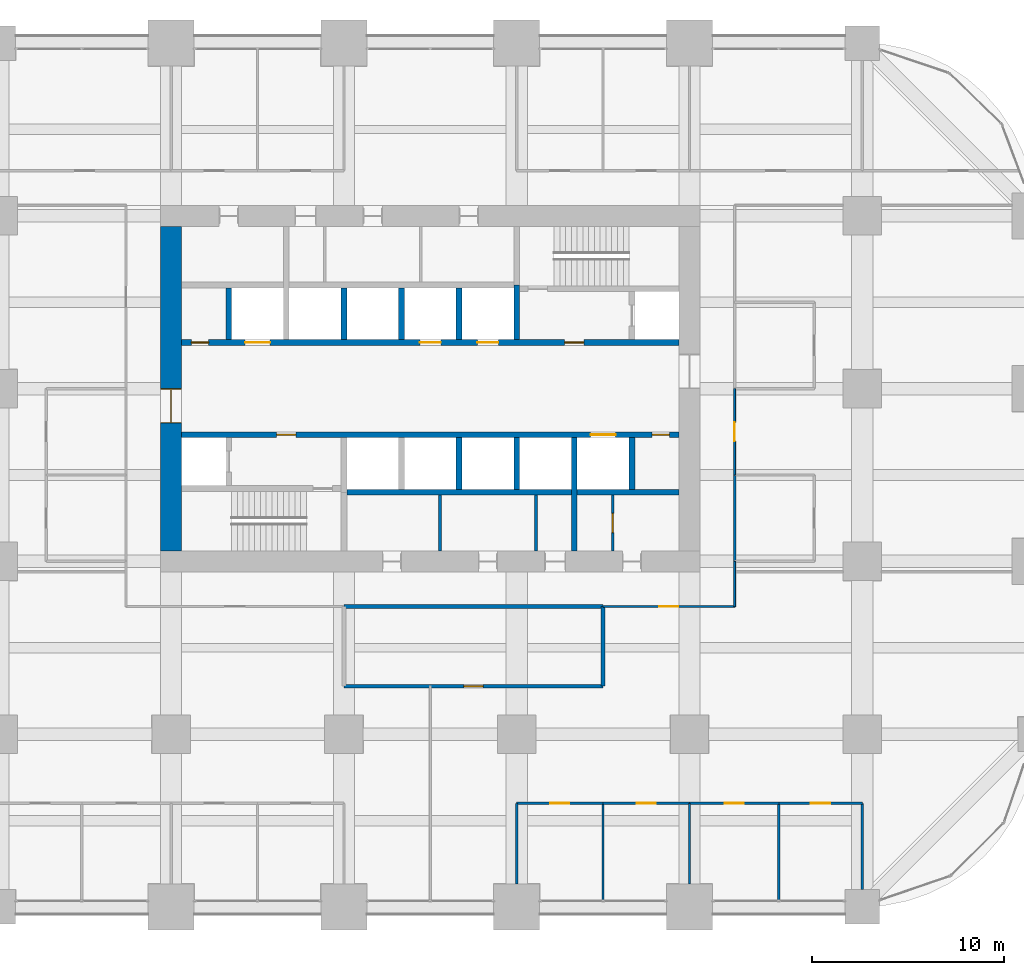
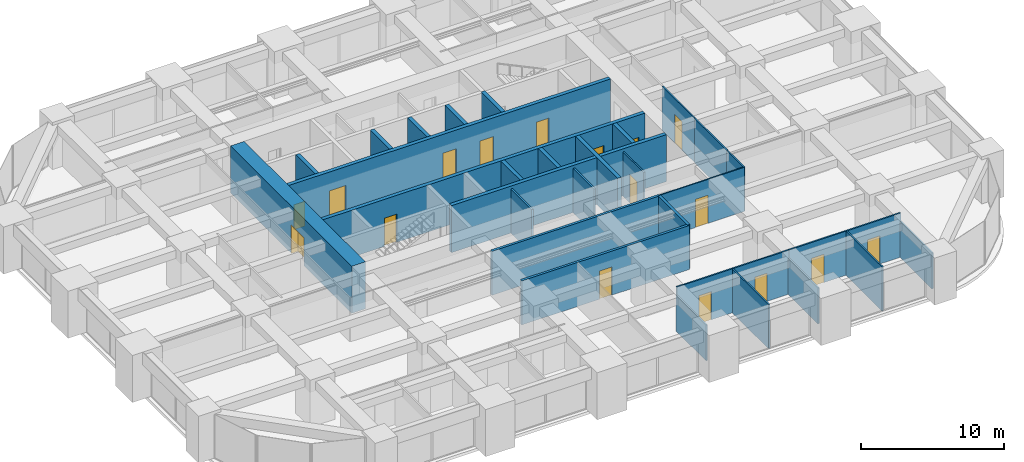
# One storey, part 37 of 41: 32 walls, 17 doors, 17 openings.
"""IFC4 building model written with IfcOpenShell, lengths in metres."""

import ifcopenshell
import ifcopenshell.guid

model = None  # the IFC model being written
_history = None  # IfcOwnerHistory: only IFC2X3 demands one
_inside = {}  # id of a spatial element -> (the spatial element, [elements in it])
_under = {}  # id of a project, library or spatial element -> (it, [spatial elements below it])
_declared = {}  # id of a project -> (the project, [libraries it declares])
_typed = {}  # id of a type object -> (the type object, [elements of that type])
_made_of = {}  # id of a material, layer set ... -> (it, [elements and type objects made of it])


def new_model(schema):
    """Start an empty IFC model of exactly this schema.

    Asked for "IFC4X3", IfcOpenShell would pick the latest addendum, in which some entities
    have other attributes; the version numbers below select the first issue.
    IFC2X3 requires an IfcOwnerHistory on every rooted entity: one is made here for all.
    """
    global model, _history
    if schema == "IFC4X3":
        model = ifcopenshell.file(schema_version=(4, 3, 0, 0))
    else:
        model = ifcopenshell.file(schema=schema)
    _inside.clear()
    _under.clear()
    _declared.clear()
    _typed.clear()
    _made_of.clear()
    _history = None
    if model.schema == "IFC2X3":
        org = make("IfcOrganization", Name="unknown")
        user = make(
            "IfcPersonAndOrganization",
            ThePerson=make("IfcPerson", FamilyName="unknown"),
            TheOrganization=org,
        )
        app = make(
            "IfcApplication",
            ApplicationDeveloper=org,
            Version="unknown",
            ApplicationFullName="unknown",
            ApplicationIdentifier="unknown",
        )
        _history = make(
            "IfcOwnerHistory",
            OwningUser=user,
            OwningApplication=app,
            ChangeAction="ADDED",
            CreationDate=0,
        )
    return model


def make(cls, **values):
    """One entity of the class cls with the attributes given. An attribute that is None is left unset."""
    return model.create_entity(
        cls, **{name: value for name, value in values.items() if value is not None}
    )


def rooted(cls, **values):
    """An entity with a GlobalId (a new one), such as an element, a storey or a relation."""
    return make(cls, GlobalId=ifcopenshell.guid.new(), OwnerHistory=_history, **values)


def si_unit(unit_type, name, prefix=None):
    """IfcSIUnit, for example si_unit("LENGTHUNIT", "METRE", prefix="MILLI")."""
    return make("IfcSIUnit", UnitType=unit_type, Prefix=prefix, Name=name)


def assignment(units):
    """IfcUnitAssignment: the units of a project."""
    return None if units is None else make("IfcUnitAssignment", Units=units)


def point(xyz):
    """IfcCartesianPoint."""
    return None if xyz is None else make("IfcCartesianPoint", Coordinates=xyz)


def direction(xyz):
    """IfcDirection."""
    return None if xyz is None else make("IfcDirection", DirectionRatios=xyz)


def frame(location, z_axis=None, x_axis=None):
    """IfcAxis2Placement3D, a coordinate frame: its origin and axes. An axis left out is left unset."""
    return make(
        "IfcAxis2Placement3D",
        Location=point(location),
        Axis=direction(z_axis),
        RefDirection=direction(x_axis),
    )


def frame_2d(location, x_axis=None):
    """IfcAxis2Placement2D, a coordinate frame in the plane: its origin and x axis."""
    return make(
        "IfcAxis2Placement2D", Location=point(location), RefDirection=direction(x_axis)
    )


def origin():
    """The frame at (0, 0, 0) with its axes left unset."""
    return frame((0.0, 0.0, 0.0))


def place(relative_to, where):
    """IfcLocalPlacement: puts the frame where relative to a parent placement (None: the world)."""
    return make(
        "IfcLocalPlacement", PlacementRelTo=relative_to, RelativePlacement=where
    )


def context(
    kind, dimensions, precision=None, world=None, true_north=None, identifier=None
):
    """IfcGeometricRepresentationContext, for example the 3D "Model" context."""
    return make(
        "IfcGeometricRepresentationContext",
        ContextIdentifier=identifier,
        ContextType=kind,
        CoordinateSpaceDimension=dimensions,
        Precision=precision,
        WorldCoordinateSystem=world,
        TrueNorth=true_north,
    )


def subcontext(parent, identifier, kind, view, scale=None):
    """IfcGeometricRepresentationSubContext, for example "Body" below "Model"."""
    return make(
        "IfcGeometricRepresentationSubContext",
        ContextIdentifier=identifier,
        ContextType=kind,
        ParentContext=parent,
        TargetScale=scale,
        TargetView=view,
    )


def project(units=None, contexts=None):
    """IfcProject with its units and contexts."""
    return rooted(
        "IfcProject",
        Name="project",
        RepresentationContexts=contexts,
        UnitsInContext=assignment(units),
    )


def spatial(cls, under=None, at=None, **own):
    """A site, building, storey or space (cls), placed at a placement, below another one or the project."""
    s = rooted(cls, ObjectPlacement=at, **own)
    if under is not None:
        _under.setdefault(under.id(), (under, []))[1].append(s)
    return s


def profile(cls, at=None, kind="AREA", **sizes):
    """A parametric profile (cls). Its sizes go by their IFC names, for example OverallWidth=200.0."""
    return make(cls, ProfileType=kind, Position=at, **sizes)


def rectangle(**sizes):
    """IfcRectangleProfileDef."""
    return profile("IfcRectangleProfileDef", **sizes)


def extrude(swept, where, along, depth):
    """IfcExtrudedAreaSolid: the profile swept, set in the frame where, extruded along a direction by depth."""
    return make(
        "IfcExtrudedAreaSolid",
        SweptArea=swept,
        Position=where,
        ExtrudedDirection=direction(along),
        Depth=depth,
    )


def shape(context_of_items, identifier, shape_type, items):
    """IfcShapeRepresentation: the items that make up one representation, for example the "Body"."""
    return make(
        "IfcShapeRepresentation",
        ContextOfItems=context_of_items,
        RepresentationIdentifier=identifier,
        RepresentationType=shape_type,
        Items=items,
    )


def material(Name=None, Category=None):
    """IfcMaterial."""
    return make("IfcMaterial", Name=Name, Category=Category)


def layer(
    of_material, thickness, ventilated=None, Name=None, Category=None, Priority=None
):
    """IfcMaterialLayer: one layer of a wall or slab, of a material (None: an air gap)."""
    return make(
        "IfcMaterialLayer",
        Material=of_material,
        LayerThickness=thickness,
        IsVentilated=ventilated,
        Name=Name,
        Category=Category,
        Priority=Priority,
    )


def layer_set(layers, Name=None):
    """IfcMaterialLayerSet."""
    return make("IfcMaterialLayerSet", MaterialLayers=layers, LayerSetName=Name)


def made_of(thing, what):
    """Note that an element or type object is made of a material, layer set ...; save() writes the relation."""
    if what is not None:
        _made_of.setdefault(what.id(), (what, []))[1].append(thing)
    return thing


def type_object(cls, material=None, **own):
    """A type object (cls), such as IfcWallType, which elements share."""
    return made_of(rooted(cls, **own), material)


def element(
    cls,
    number,
    at=None,
    inside=None,
    cuts=None,
    type_object=None,
    material=None,
    context=None,
    identifier="Body",
    shape_type=None,
    held_by="IfcProductDefinitionShape",
    body=None,
    shapes=None,
    **own,
):
    """One element of the class cls, such as IfcWall. Its Tag is "e" and its number.

    at: its placement. inside: the storey or other place that contains it. cuts: it is an
    opening in that element (IfcRelVoidsElement). A single representation is given by context,
    identifier, shape_type and body (its items); several are given by shapes. held_by: the class
    of the entity that holds the representations. save() writes the other relations.
    """
    e = rooted(cls, Tag="e%d" % number, ObjectPlacement=at, **own)
    if body is not None:
        shapes = [shape(context, identifier, shape_type, body)]
    if shapes is not None:
        e.Representation = make(held_by, Representations=shapes)
    if inside is not None:
        _inside.setdefault(inside.id(), (inside, []))[1].append(e)
    if cuts is not None:
        rooted(
            "IfcRelVoidsElement", RelatingBuildingElement=cuts, RelatedOpeningElement=e
        )
    if type_object is not None:
        _typed.setdefault(type_object.id(), (type_object, []))[1].append(e)
    return made_of(e, material)


def fill(opening, filler):
    """IfcRelFillsElement: the door or window that sits in an opening."""
    return rooted(
        "IfcRelFillsElement",
        RelatingOpeningElement=opening,
        RelatedBuildingElement=filler,
    )


def aggregate(whole, parts):
    """IfcRelAggregates: a whole, such as a stair, and the parts it consists of."""
    return rooted("IfcRelAggregates", RelatingObject=whole, RelatedObjects=parts)


def save(model, path):
    """Write the relations noted so far, then the file.

    IfcRelAggregates (storeys below a building ...), IfcRelContainedInSpatialStructure (elements
    in a storey), IfcRelDefinesByType, IfcRelAssociatesMaterial and IfcRelDeclares: one each for
    every whole, place, type object, material and project.
    """
    for whole, parts in _under.values():
        aggregate(whole, parts)
    for where, things in _inside.values():
        rooted(
            "IfcRelContainedInSpatialStructure",
            RelatedElements=things,
            RelatingStructure=where,
        )
    for kind, things in _typed.values():
        rooted("IfcRelDefinesByType", RelatedObjects=things, RelatingType=kind)
    for what, things in _made_of.values():
        rooted("IfcRelAssociatesMaterial", RelatedObjects=things, RelatingMaterial=what)
    for by, libraries in _declared.values():
        rooted("IfcRelDeclares", RelatingContext=by, RelatedDefinitions=libraries)
    model.write(path)


model = new_model("IFC4")

# Units and contexts
model_context = context("Model", 3, precision=1e-05, world=origin(), true_north=direction((0.0, 1.0)))
body_context = subcontext(model_context, "Body", "Model", "MODEL_VIEW")
ifc_project = project(units=[si_unit("LENGTHUNIT", "METRE"), si_unit("AREAUNIT", "SQUARE_METRE"), si_unit("VOLUMEUNIT", "CUBIC_METRE"), si_unit("PLANEANGLEUNIT", "RADIAN"), si_unit("MASSUNIT", "GRAM", prefix="KILO")], contexts=[model_context])

# Site, building, storey
site_placement = place(None, origin())
site = spatial("IfcSite", under=ifc_project, at=site_placement, CompositionType="ELEMENT")
building_placement = place(site_placement, origin())
building = spatial("IfcBuilding", under=site, at=building_placement, Name="Zorevar Civic Tower", CompositionType="ELEMENT")
storey_placement = place(building_placement, frame((0.0, 0.0, 105.0)))
storey = spatial("IfcBuildingStorey", under=building, at=storey_placement, Name="L25", CompositionType="ELEMENT", Elevation=105.0)

# Wall, opening, door
ifc_material_1 = material(Name="Concrete blockwork", Category="masonry")
ifc_layer_1 = layer(ifc_material_1, 0.199951171875)
ifc_layer_set_1 = layer_set([ifc_layer_1], Name="Blockwork wall 200")
wall_type_1 = type_object("IfcWallType", Name="Blockwork wall 200", PredefinedType="SOLIDWALL", material=ifc_layer_set_1)
wall_1_placement = place(storey_placement, frame((27.0, 11.5, 0.0), z_axis=(0.0, 0.0, 1.0), x_axis=(1.0, 0.0, 0.0)))
wall_1 = element("IfcWall", 1, at=wall_1_placement, inside=storey, type_object=wall_type_1, Name="Blockwork wall 200 L25", PredefinedType="SOLIDWALL", context=body_context, shape_type="SweptSolid", body=[
    extrude(rectangle(XDim=13.5, YDim=0.199951171875, at=frame_2d((6.75, 0.0))), origin(), (0.0, 0.0, 1.0), 3.75),
])
opening_1_placement = place(wall_1_placement, frame((6.25, 0.0, 0.0)))
opening_1 = element("IfcOpeningElement", 2, at=opening_1_placement, cuts=wall_1, Name="Opening L25.25", PredefinedType="OPENING", context=body_context, shape_type="SweptSolid", body=[
    extrude(rectangle(XDim=1.0, YDim=2.39990234375, at=frame_2d((0.5, 1.199951171875))), frame((0.0, 0.10986328125, 0.0), z_axis=(0.0, -1.0, 0.0), x_axis=(1.0, 0.0, 0.0)), (0.0, 0.0, 1.0), 0.219970703125),
])
ifc_material_2 = material(Name="Steel door set", Category="steel")
door_type_1 = type_object("IfcDoorType", Name="Security door SD1 1000x2400", OperationType="SINGLE_SWING_LEFT", PredefinedType="DOOR", material=ifc_material_2)
door_1_placement = place(opening_1_placement, origin())
door_1 = element("IfcDoor", 3, at=door_1_placement, inside=storey, type_object=door_type_1, Name="Door L25 D1", OperationType="SINGLE_SWING_LEFT", OverallHeight=2.39990234375, OverallWidth=1.0, PredefinedType="DOOR", context=body_context, shape_type="SweptSolid", body=[
    extrude(rectangle(XDim=1.0, YDim=2.39990234375, at=frame_2d((0.5, 1.199951171875))), frame((0.0, 0.03515625, 0.0), z_axis=(0.0, -1.0, 0.0), x_axis=(1.0, 0.0, 0.0)), (0.0, 0.0, 1.0), 0.070068359375),
])
fill(opening_1, door_1)

# Walls
wall_2_placement = place(storey_placement, frame((27.0, 15.64990234375, 0.0), z_axis=(0.0, 0.0, 1.0), x_axis=(1.0, 0.0, 0.0)))
element("IfcWall", 4, at=wall_2_placement, inside=storey, type_object=wall_type_1, Name="Blockwork wall 200 L25", PredefinedType="SOLIDWALL", context=body_context, shape_type="SweptSolid", body=[
    extrude(rectangle(XDim=13.5, YDim=0.199951171875, at=frame_2d((6.75, 0.0))), origin(), (0.0, 0.0, 1.0), 3.75),
])
wall_3_placement = place(storey_placement, frame((40.5, 11.5, 0.0), z_axis=(0.0, 0.0, 1.0), x_axis=(0.0, 1.0, 0.0)))
element("IfcWall", 5, at=wall_3_placement, inside=storey, type_object=wall_type_1, Name="Blockwork wall 200 L25", PredefinedType="SOLIDWALL", context=body_context, shape_type="SweptSolid", body=[
    extrude(rectangle(XDim=4.14990234375, YDim=0.199951171875, at=frame_2d((2.074951171875, 0.0))), origin(), (0.0, 0.0, 1.0), 3.75),
])

# Wall, opening, door
ifc_material_3 = material(Name="Concrete C50/60", Category="concrete")
ifc_layer_2 = layer(ifc_material_3, 1.10009765625)
ifc_layer_set_2 = layer_set([ifc_layer_2], Name="Core wall 1100")
wall_type_2 = type_object("IfcWallType", Name="Core wall 1100", PredefinedType="SHEAR", material=ifc_layer_set_2)
wall_4_placement = place(storey_placement, frame((18.0, 35.449951171875, 0.0), z_axis=(0.0, 0.0, 1.0), x_axis=(0.0, -1.0, 0.0)))
wall_4 = element("IfcWall", 6, at=wall_4_placement, inside=storey, type_object=wall_type_2, Name="Core wall W L25", PredefinedType="SHEAR", context=body_context, shape_type="SweptSolid", body=[
    extrude(rectangle(XDim=16.89990234375, YDim=1.10009765625, at=frame_2d((8.449951171875, 0.0))), origin(), (0.0, 0.0, 1.0), 4.0),
])
opening_2_placement = place(wall_4_placement, frame((8.449951171875, 0.0, 0.0)))
opening_2 = element("IfcOpeningElement", 7, at=opening_2_placement, cuts=wall_4, Name="Opening L25.01", PredefinedType="OPENING", context=body_context, shape_type="SweptSolid", body=[
    extrude(rectangle(XDim=1.800048828125, YDim=2.39990234375, at=frame_2d((0.89990234375, 1.199951171875))), frame((0.0, 0.56005859375, 0.0), z_axis=(0.0, -1.0, 0.0), x_axis=(1.0, 0.0, 0.0)), (0.0, 0.0, 1.0), 1.1201171875),
])
ifc_material_4 = material(Name="Steel door set", Category="steel")
door_type_2 = type_object("IfcDoorType", Name="Fire door FD2 1800x2400", OperationType="DOUBLE_DOOR_DOUBLE_SWING", PredefinedType="DOOR", material=ifc_material_4)
door_2_placement = place(opening_2_placement, origin())
door_2 = element("IfcDoor", 8, at=door_2_placement, inside=storey, type_object=door_type_2, Name="Door L25 00", OperationType="DOUBLE_DOOR_DOUBLE_SWING", OverallHeight=2.39990234375, OverallWidth=1.800048828125, PredefinedType="DOOR", context=body_context, shape_type="SweptSolid", body=[
    extrude(rectangle(XDim=1.800048828125, YDim=2.39990234375, at=frame_2d((0.89990234375, 1.199951171875))), frame((0.0, 0.030029296875, 0.0), z_axis=(0.0, -1.0, 0.0), x_axis=(1.0, 0.0, 0.0)), (0.0, 0.0, 1.0), 0.06005859375),
    extrude(rectangle(XDim=0.04, YDim=2.39990234375, at=frame_2d((0.02001953125, 1.199951171875))), frame((0.0, 0.5498046875, 0.0), z_axis=(0.0, -1.0, 0.0), x_axis=(1.0, 0.0, 0.0)), (0.0, 0.0, 1.0), 1.099609375),
    extrude(rectangle(XDim=0.04, YDim=2.39990234375, at=frame_2d((1.780029296875, 1.199951171875))), frame((0.0, 0.5498046875, 0.0), z_axis=(0.0, -1.0, 0.0), x_axis=(1.0, 0.0, 0.0)), (0.0, 0.0, 1.0), 1.099609375),
    extrude(rectangle(XDim=1.800048828125, YDim=0.04, at=frame_2d((0.89990234375, 2.3798828125))), frame((0.0, 0.5498046875, 0.0), z_axis=(0.0, -1.0, 0.0), x_axis=(1.0, 0.0, 0.0)), (0.0, 0.0, 1.0), 1.099609375),
])
fill(opening_2, door_2)

ifc_material_5 = material(Name="Laminated glass in black aluminium frame", Category="aluminium")
ifc_layer_3 = layer(ifc_material_5, 0.10009765625)
ifc_layer_set_3 = layer_set([ifc_layer_3], Name="Glazed partition 100")
wall_type_3 = type_object("IfcWallType", Name="Glazed partition 100", PredefinedType="PARTITIONING", material=ifc_layer_set_3)
wall_5_placement = place(storey_placement, frame((40.5, 15.64990234375, 0.0), z_axis=(0.0, 0.0, 1.0), x_axis=(1.0, 0.0, 0.0)))
wall_5 = element("IfcWall", 9, at=wall_5_placement, inside=storey, type_object=wall_type_3, Name="Glazed partition 100 L25", PredefinedType="PARTITIONING", context=body_context, shape_type="SweptSolid", body=[
    extrude(rectangle(XDim=6.85009765625, YDim=0.10009765625, at=frame_2d((3.425048828125, 0.0))), origin(), (0.0, 0.0, 1.0), 3.75),
])
opening_3_placement = place(wall_5_placement, frame((2.925048828125, 0.0, 0.0)))
opening_3 = element("IfcOpeningElement", 10, at=opening_3_placement, cuts=wall_5, Name="Opening L25.27", PredefinedType="OPENING", context=body_context, shape_type="SweptSolid", body=[
    extrude(rectangle(XDim=1.0, YDim=2.39990234375, at=frame_2d((0.5, 1.199951171875))), frame((0.0, 0.06005859375, 0.0), z_axis=(0.0, -1.0, 0.0), x_axis=(1.0, 0.0, 0.0)), (0.0, 0.0, 1.0), 0.1201171875),
])
ifc_material_6 = material(Name="Timber door set", Category="wood")
door_type_3 = type_object("IfcDoorType", Name="Glazed door GD1 1000x2400", OperationType="SINGLE_SWING_LEFT", PredefinedType="DOOR", material=ifc_material_6)
door_3_placement = place(opening_3_placement, origin())
door_3 = element("IfcDoor", 11, at=door_3_placement, inside=storey, type_object=door_type_3, Name="Door L25 D1", OperationType="SINGLE_SWING_LEFT", OverallHeight=2.39990234375, OverallWidth=1.0, PredefinedType="DOOR", context=body_context, shape_type="SweptSolid", body=[
    extrude(rectangle(XDim=1.0, YDim=2.39990234375, at=frame_2d((0.5, 1.199951171875))), frame((0.0, 0.02001953125, 0.0), z_axis=(0.0, -1.0, 0.0), x_axis=(1.0, 0.0, 0.0)), (0.0, 0.0, 1.0), 0.0400390625),
])
fill(opening_3, door_3)

# Wall
wall_6_placement = place(storey_placement, frame((47.35009765625, 15.64990234375, 0.0), z_axis=(0.0, 0.0, 1.0), x_axis=(0.0, 1.0, 0.0)))
element("IfcWall", 12, at=wall_6_placement, inside=storey, type_object=wall_type_3, Name="Glazed partition 100 L25", PredefinedType="PARTITIONING", context=body_context, shape_type="SweptSolid", body=[
    extrude(rectangle(XDim=2.35009765625, YDim=0.10009765625, at=frame_2d((1.175048828125, 0.0))), origin(), (0.0, 0.0, 1.0), 3.75),
])

# Wall, opening, door
wall_7_placement = place(storey_placement, frame((47.35009765625, 22.5, 0.0), z_axis=(0.0, 0.0, 1.0), x_axis=(0.0, 1.0, 0.0)))
wall_7 = element("IfcWall", 13, at=wall_7_placement, inside=storey, type_object=wall_type_3, Name="Glazed partition 100 L25", PredefinedType="PARTITIONING", context=body_context, shape_type="SweptSolid", body=[
    extrude(rectangle(XDim=4.5, YDim=0.10009765625, at=frame_2d((2.25, 0.0))), origin(), (0.0, 0.0, 1.0), 3.75),
])
opening_4_placement = place(wall_7_placement, frame((1.75, 0.0, 0.0)))
opening_4 = element("IfcOpeningElement", 14, at=opening_4_placement, cuts=wall_7, Name="Opening L25.38", PredefinedType="OPENING", context=body_context, shape_type="SweptSolid", body=[
    extrude(rectangle(XDim=1.0, YDim=2.39990234375, at=frame_2d((0.5, 1.199951171875))), frame((0.0, 0.06005859375, 0.0), z_axis=(0.0, -1.0, 0.0), x_axis=(1.0, 0.0, 0.0)), (0.0, 0.0, 1.0), 0.1201171875),
])
door_4_placement = place(opening_4_placement, origin())
door_4 = element("IfcDoor", 15, at=door_4_placement, inside=storey, type_object=door_type_3, Name="Door L25 D1", OperationType="SINGLE_SWING_RIGHT", OverallHeight=2.39990234375, OverallWidth=1.0, PredefinedType="DOOR", context=body_context, shape_type="SweptSolid", body=[
    extrude(rectangle(XDim=1.0, YDim=2.39990234375, at=frame_2d((0.5, 1.199951171875))), frame((0.0, 0.02001953125, 0.0), z_axis=(0.0, -1.0, 0.0), x_axis=(1.0, 0.0, 0.0)), (0.0, 0.0, 1.0), 0.0400390625),
])
fill(opening_4, door_4)

# Wall, openings, doors
ifc_material_7 = material(Name="Concrete C40/50", Category="concrete")
ifc_layer_4 = layer(ifc_material_7, 0.300048828125)
ifc_layer_set_4 = layer_set([ifc_layer_4], Name="Inner core wall 300")
wall_type_4 = type_object("IfcWallType", Name="Inner core wall 300", PredefinedType="SHEAR", material=ifc_layer_set_4)
wall_8_placement = place(storey_placement, frame((18.550048828125, 24.60009765625, 0.0), z_axis=(0.0, 0.0, 1.0), x_axis=(1.0, 0.0, 0.0)))
wall_8 = element("IfcWall", 16, at=wall_8_placement, inside=storey, type_object=wall_type_4, Name="Inner core wall S03 L25", PredefinedType="SHEAR", context=body_context, shape_type="SweptSolid", body=[
    extrude(rectangle(XDim=25.89990234375, YDim=0.300048828125, at=frame_2d((12.949951171875, 0.0))), origin(), (0.0, 0.0, 1.0), 4.0),
])
opening_5_placement = place(wall_8_placement, frame((4.949951171875, 0.0, 0.0)))
opening_5 = element("IfcOpeningElement", 17, at=opening_5_placement, cuts=wall_8, Name="Opening L25.13", PredefinedType="OPENING", context=body_context, shape_type="SweptSolid", body=[
    extrude(rectangle(XDim=1.0, YDim=2.39990234375, at=frame_2d((0.5, 1.199951171875))), frame((0.0, 0.159912109375, 0.0), z_axis=(0.0, -1.0, 0.0), x_axis=(1.0, 0.0, 0.0)), (0.0, 0.0, 1.0), 0.320068359375),
])
opening_6_placement = place(wall_8_placement, frame((24.5, 0.0, 0.0)))
opening_6 = element("IfcOpeningElement", 18, at=opening_6_placement, cuts=wall_8, Name="Opening L25.15", PredefinedType="OPENING", context=body_context, shape_type="SweptSolid", body=[
    extrude(rectangle(XDim=0.89990234375, YDim=2.10009765625, at=frame_2d((0.449951171875, 1.050048828125))), frame((0.0, 0.159912109375, 0.0), z_axis=(0.0, -1.0, 0.0), x_axis=(1.0, 0.0, 0.0)), (0.0, 0.0, 1.0), 0.320068359375),
])
opening_7_placement = place(wall_8_placement, frame((21.300048828125, 0.0, 0.0)))
opening_7 = element("IfcOpeningElement", 19, at=opening_7_placement, cuts=wall_8, Name="Opening L25.SL1", PredefinedType="OPENING", context=body_context, shape_type="SweptSolid", body=[
    extrude(rectangle(XDim=1.300048828125, YDim=2.39990234375, at=frame_2d((0.64990234375, 1.199951171875))), frame((0.0, 0.159912109375, 0.0), z_axis=(0.0, -1.0, 0.0), x_axis=(1.0, 0.0, 0.0)), (0.0, 0.0, 1.0), 0.320068359375),
])
ifc_material_8 = material(Name="Steel door set", Category="steel")
door_type_4 = type_object("IfcDoorType", Name="Fire door FD1 1000x2400", OperationType="SINGLE_SWING_LEFT", PredefinedType="DOOR", material=ifc_material_8)
door_5_placement = place(opening_5_placement, origin())
door_5 = element("IfcDoor", 20, at=door_5_placement, inside=storey, type_object=door_type_4, Name="Door L25 12", OperationType="SINGLE_SWING_RIGHT", OverallHeight=2.39990234375, OverallWidth=1.0, PredefinedType="DOOR", context=body_context, shape_type="SweptSolid", body=[
    extrude(rectangle(XDim=1.0, YDim=2.39990234375, at=frame_2d((0.5, 1.199951171875))), frame((0.0, 0.030029296875, 0.0), z_axis=(0.0, -1.0, 0.0), x_axis=(1.0, 0.0, 0.0)), (0.0, 0.0, 1.0), 0.06005859375),
])
fill(opening_5, door_5)
ifc_material_9 = material(Name="Steel door set", Category="steel")
door_type_5 = type_object("IfcDoorType", Name="Landing door LD2 1300x2400", OperationType="DOUBLE_DOOR_SLIDING", PredefinedType="DOOR", material=ifc_material_9)
door_6_placement = place(opening_7_placement, origin())
door_6 = element("IfcDoor", 21, at=door_6_placement, inside=storey, type_object=door_type_5, Name="Landing door SL1 L25", OperationType="DOUBLE_DOOR_SLIDING", OverallHeight=2.39990234375, OverallWidth=1.300048828125, PredefinedType="DOOR", context=body_context, shape_type="SweptSolid", body=[
    extrude(rectangle(XDim=1.300048828125, YDim=2.39990234375, at=frame_2d((0.64990234375, 1.199951171875))), frame((0.0, 0.02001953125, 0.0), z_axis=(0.0, -1.0, 0.0), x_axis=(1.0, 0.0, 0.0)), (0.0, 0.0, 1.0), 0.0400390625),
])
fill(opening_7, door_6)
ifc_material_10 = material(Name="Steel door set", Category="steel")
door_type_6 = type_object("IfcDoorType", Name="Riser door RD1 900x2100", OperationType="SINGLE_SWING_LEFT", PredefinedType="DOOR", material=ifc_material_10)
door_7_placement = place(opening_6_placement, origin())
door_7 = element("IfcDoor", 22, at=door_7_placement, inside=storey, type_object=door_type_6, Name="Door L25 14", OperationType="SINGLE_SWING_RIGHT", OverallHeight=2.10009765625, OverallWidth=0.89990234375, PredefinedType="DOOR", context=body_context, shape_type="SweptSolid", body=[
    extrude(rectangle(XDim=0.89990234375, YDim=2.10009765625, at=frame_2d((0.449951171875, 1.050048828125))), frame((0.0, 0.030029296875, 0.0), z_axis=(0.0, -1.0, 0.0), x_axis=(1.0, 0.0, 0.0)), (0.0, 0.0, 1.0), 0.06005859375),
])
fill(opening_6, door_7)

wall_9_placement = place(storey_placement, frame((18.550048828125, 29.39990234375, 0.0), z_axis=(0.0, 0.0, 1.0), x_axis=(1.0, 0.0, 0.0)))
wall_9 = element("IfcWall", 23, at=wall_9_placement, inside=storey, type_object=wall_type_4, Name="Inner core wall N03 L25", PredefinedType="SHEAR", context=body_context, shape_type="SweptSolid", body=[
    extrude(rectangle(XDim=25.89990234375, YDim=0.300048828125, at=frame_2d((12.949951171875, 0.0))), origin(), (0.0, 0.0, 1.0), 4.0),
])
opening_8_placement = place(wall_9_placement, frame((19.949951171875, 0.0, 0.0)))
opening_8 = element("IfcOpeningElement", 24, at=opening_8_placement, cuts=wall_9, Name="Opening L25.14", PredefinedType="OPENING", context=body_context, shape_type="SweptSolid", body=[
    extrude(rectangle(XDim=1.0, YDim=2.39990234375, at=frame_2d((0.5, 1.199951171875))), frame((0.0, 0.159912109375, 0.0), z_axis=(0.0, -1.0, 0.0), x_axis=(1.0, 0.0, 0.0)), (0.0, 0.0, 1.0), 0.320068359375),
])
opening_9_placement = place(wall_9_placement, frame((0.5, 0.0, 0.0)))
opening_9 = element("IfcOpeningElement", 25, at=opening_9_placement, cuts=wall_9, Name="Opening L25.16", PredefinedType="OPENING", context=body_context, shape_type="SweptSolid", body=[
    extrude(rectangle(XDim=0.89990234375, YDim=2.10009765625, at=frame_2d((0.449951171875, 1.050048828125))), frame((0.0, 0.159912109375, 0.0), z_axis=(0.0, -1.0, 0.0), x_axis=(1.0, 0.0, 0.0)), (0.0, 0.0, 1.0), 0.320068359375),
])
opening_10_placement = place(wall_9_placement, frame((15.39990234375, 0.0, 0.0)))
opening_10 = element("IfcOpeningElement", 26, at=opening_10_placement, cuts=wall_9, Name="Opening L25.LM1", PredefinedType="OPENING", context=body_context, shape_type="SweptSolid", body=[
    extrude(rectangle(XDim=1.10009765625, YDim=2.39990234375, at=frame_2d((0.550048828125, 1.199951171875))), frame((0.0, 0.159912109375, 0.0), z_axis=(0.0, -1.0, 0.0), x_axis=(1.0, 0.0, 0.0)), (0.0, 0.0, 1.0), 0.320068359375),
])
opening_11_placement = place(wall_9_placement, frame((12.39990234375, 0.0, 0.0)))
opening_11 = element("IfcOpeningElement", 27, at=opening_11_placement, cuts=wall_9, Name="Opening L25.LM2", PredefinedType="OPENING", context=body_context, shape_type="SweptSolid", body=[
    extrude(rectangle(XDim=1.10009765625, YDim=2.39990234375, at=frame_2d((0.550048828125, 1.199951171875))), frame((0.0, 0.159912109375, 0.0), z_axis=(0.0, -1.0, 0.0), x_axis=(1.0, 0.0, 0.0)), (0.0, 0.0, 1.0), 0.320068359375),
])
opening_12_placement = place(wall_9_placement, frame((3.300048828125, 0.0, 0.0)))
opening_12 = element("IfcOpeningElement", 28, at=opening_12_placement, cuts=wall_9, Name="Opening L25.SL2", PredefinedType="OPENING", context=body_context, shape_type="SweptSolid", body=[
    extrude(rectangle(XDim=1.300048828125, YDim=2.39990234375, at=frame_2d((0.64990234375, 1.199951171875))), frame((0.0, 0.159912109375, 0.0), z_axis=(0.0, -1.0, 0.0), x_axis=(1.0, 0.0, 0.0)), (0.0, 0.0, 1.0), 0.320068359375),
])
door_8_placement = place(opening_8_placement, origin())
door_8 = element("IfcDoor", 29, at=door_8_placement, inside=storey, type_object=door_type_4, Name="Door L25 13", OperationType="SINGLE_SWING_RIGHT", OverallHeight=2.39990234375, OverallWidth=1.0, PredefinedType="DOOR", context=body_context, shape_type="SweptSolid", body=[
    extrude(rectangle(XDim=1.0, YDim=2.39990234375, at=frame_2d((0.5, 1.199951171875))), frame((0.0, 0.030029296875, 0.0), z_axis=(0.0, -1.0, 0.0), x_axis=(1.0, 0.0, 0.0)), (0.0, 0.0, 1.0), 0.06005859375),
])
fill(opening_8, door_8)
ifc_material_11 = material(Name="Steel door set", Category="steel")
door_type_7 = type_object("IfcDoorType", Name="Landing door LD1 1100x2400", OperationType="DOUBLE_DOOR_SLIDING", PredefinedType="DOOR", material=ifc_material_11)
door_9_placement = place(opening_10_placement, origin())
door_9 = element("IfcDoor", 30, at=door_9_placement, inside=storey, type_object=door_type_7, Name="Landing door LM1 L25", OperationType="DOUBLE_DOOR_SLIDING", OverallHeight=2.39990234375, OverallWidth=1.10009765625, PredefinedType="DOOR", context=body_context, shape_type="SweptSolid", body=[
    extrude(rectangle(XDim=1.10009765625, YDim=2.39990234375, at=frame_2d((0.550048828125, 1.199951171875))), frame((0.0, 0.02001953125, 0.0), z_axis=(0.0, -1.0, 0.0), x_axis=(1.0, 0.0, 0.0)), (0.0, 0.0, 1.0), 0.0400390625),
])
fill(opening_10, door_9)
door_10_placement = place(opening_11_placement, origin())
door_10 = element("IfcDoor", 31, at=door_10_placement, inside=storey, type_object=door_type_7, Name="Landing door LM2 L25", OperationType="DOUBLE_DOOR_SLIDING", OverallHeight=2.39990234375, OverallWidth=1.10009765625, PredefinedType="DOOR", context=body_context, shape_type="SweptSolid", body=[
    extrude(rectangle(XDim=1.10009765625, YDim=2.39990234375, at=frame_2d((0.550048828125, 1.199951171875))), frame((0.0, 0.02001953125, 0.0), z_axis=(0.0, -1.0, 0.0), x_axis=(1.0, 0.0, 0.0)), (0.0, 0.0, 1.0), 0.0400390625),
])
fill(opening_11, door_10)
door_11_placement = place(opening_12_placement, origin())
door_11 = element("IfcDoor", 32, at=door_11_placement, inside=storey, type_object=door_type_5, Name="Landing door SL2 L25", OperationType="DOUBLE_DOOR_SLIDING", OverallHeight=2.39990234375, OverallWidth=1.300048828125, PredefinedType="DOOR", context=body_context, shape_type="SweptSolid", body=[
    extrude(rectangle(XDim=1.300048828125, YDim=2.39990234375, at=frame_2d((0.64990234375, 1.199951171875))), frame((0.0, 0.02001953125, 0.0), z_axis=(0.0, -1.0, 0.0), x_axis=(1.0, 0.0, 0.0)), (0.0, 0.0, 1.0), 0.0400390625),
])
fill(opening_12, door_11)
door_12_placement = place(opening_9_placement, origin())
door_12 = element("IfcDoor", 33, at=door_12_placement, inside=storey, type_object=door_type_6, Name="Door L25 15", OperationType="SINGLE_SWING_RIGHT", OverallHeight=2.10009765625, OverallWidth=0.89990234375, PredefinedType="DOOR", context=body_context, shape_type="SweptSolid", body=[
    extrude(rectangle(XDim=0.89990234375, YDim=2.10009765625, at=frame_2d((0.449951171875, 1.050048828125))), frame((0.0, 0.030029296875, 0.0), z_axis=(0.0, -1.0, 0.0), x_axis=(1.0, 0.0, 0.0)), (0.0, 0.0, 1.0), 0.06005859375),
])
fill(opening_9, door_12)

# Walls
wall_10_placement = place(storey_placement, frame((27.14990234375, 21.60009765625, 0.0), z_axis=(0.0, 0.0, 1.0), x_axis=(1.0, 0.0, 0.0)))
element("IfcWall", 34, at=wall_10_placement, inside=storey, type_object=wall_type_4, Name="Inner core wall S04 L25", PredefinedType="SHEAR", context=body_context, shape_type="SweptSolid", body=[
    extrude(rectangle(XDim=17.300048828125, YDim=0.300048828125, at=frame_2d((8.64990234375, 0.0))), origin(), (0.0, 0.0, 1.0), 4.0),
])
for number, where, z_axis, x_axis, name in (
    (35, (33.0, 29.550048828125, 0.0), (0.0, 0.0, 1.0), (0.0, 1.0, 0.0), "Inner core wall N05 L25"),
    (36, (33.0, 21.75, 0.0), (0.0, 0.0, 1.0), (0.0, 1.0, 0.0), "Inner core wall S06 L25"),
    (37, (30.0, 29.550048828125, 0.0), (0.0, 0.0, 1.0), (0.0, 1.0, 0.0), "Inner core wall N06 L25"),
    (38, (36.0, 21.75, 0.0), (0.0, 0.0, 1.0), (0.0, 1.0, 0.0), "Inner core wall S07 L25"),
    (39, (27.0, 29.550048828125, 0.0), (0.0, 0.0, 1.0), (0.0, 1.0, 0.0), "Inner core wall N07 L25"),
):
    element("IfcWall", number, at=place(storey_placement, frame(where, z_axis=z_axis, x_axis=x_axis)), inside=storey, type_object=wall_type_4, Name=name, PredefinedType="SHEAR", context=body_context, shape_type="SweptSolid", body=[
        extrude(rectangle(XDim=2.699951171875, YDim=0.300048828125, at=frame_2d((1.35009765625, 0.0))), origin(), (0.0, 0.0, 1.0), 4.0),
    ])
wall_11_placement = place(storey_placement, frame((39.0, 18.550048828125, 0.0), z_axis=(0.0, 0.0, 1.0), x_axis=(0.0, 1.0, 0.0)))
element("IfcWall", 40, at=wall_11_placement, inside=storey, type_object=wall_type_4, Name="Inner core wall S08 L25", PredefinedType="SHEAR", context=body_context, shape_type="SweptSolid", body=[
    extrude(rectangle(XDim=5.89990234375, YDim=0.300048828125, at=frame_2d((2.949951171875, 0.0))), origin(), (0.0, 0.0, 1.0), 4.0),
])
for number, where, z_axis, x_axis, name in (
    (41, (42.0, 21.75, 0.0), (0.0, 0.0, 1.0), (0.0, 1.0, 0.0), "Inner core wall S09 L25"),
    (42, (21.0, 29.550048828125, 0.0), (0.0, 0.0, 1.0), (0.0, 1.0, 0.0), "Inner core wall N09 L25"),
):
    element("IfcWall", number, at=place(storey_placement, frame(where, z_axis=z_axis, x_axis=x_axis)), inside=storey, type_object=wall_type_4, Name=name, PredefinedType="SHEAR", context=body_context, shape_type="SweptSolid", body=[
        extrude(rectangle(XDim=2.699951171875, YDim=0.300048828125, at=frame_2d((1.35009765625, 0.0))), origin(), (0.0, 0.0, 1.0), 4.0),
    ])
wall_12_placement = place(storey_placement, frame((36.0, 29.550048828125, 0.0), z_axis=(0.0, 0.0, 1.0), x_axis=(0.0, 1.0, 0.0)))
element("IfcWall", 43, at=wall_12_placement, inside=storey, type_object=wall_type_4, Name="Inner core wall N10 L25", PredefinedType="SHEAR", context=body_context, shape_type="SweptSolid", body=[
    extrude(rectangle(XDim=2.849853515625, YDim=0.300048828125, at=frame_2d((1.4248046875, 0.0))), origin(), (0.0, 0.0, 1.0), 4.0),
])

# Wall, opening, door
ifc_material_12 = material(Name="Gypsum board on steel studs", Category="steel")
ifc_layer_5 = layer(ifc_material_12, 0.1201171875)
ifc_layer_set_5 = layer_set([ifc_layer_5], Name="Partition 120")
wall_type_5 = type_object("IfcWallType", Name="Partition 120", PredefinedType="PARTITIONING", material=ifc_layer_set_5)
wall_13_placement = place(storey_placement, frame((36.0, 5.39990234375, 0.0), z_axis=(0.0, 0.0, 1.0), x_axis=(1.0, 0.0, 0.0)))
wall_13 = element("IfcWall", 44, at=wall_13_placement, inside=storey, type_object=wall_type_5, Name="Partition 120 L25", PredefinedType="PARTITIONING", context=body_context, shape_type="SweptSolid", body=[
    extrude(rectangle(XDim=4.5, YDim=0.1201171875, at=frame_2d((2.25, 0.0))), origin(), (0.0, 0.0, 1.0), 3.75),
])
opening_13_placement = place(wall_13_placement, frame((1.75, 0.0, 0.0)))
opening_13 = element("IfcOpeningElement", 45, at=opening_13_placement, cuts=wall_13, Name="Opening L25.21", PredefinedType="OPENING", context=body_context, shape_type="SweptSolid", body=[
    extrude(rectangle(XDim=1.0, YDim=2.39990234375, at=frame_2d((0.5, 1.199951171875))), frame((0.0, 0.070068359375, 0.0), z_axis=(0.0, -1.0, 0.0), x_axis=(1.0, 0.0, 0.0)), (0.0, 0.0, 1.0), 0.14013671875),
])
ifc_material_13 = material(Name="Timber door set", Category="wood")
door_type_8 = type_object("IfcDoorType", Name="Door D1 1000x2400", OperationType="SINGLE_SWING_LEFT", PredefinedType="DOOR", material=ifc_material_13)
door_13_placement = place(opening_13_placement, origin())
door_13 = element("IfcDoor", 46, at=door_13_placement, inside=storey, type_object=door_type_8, Name="Door L25 D1", OperationType="SINGLE_SWING_RIGHT", OverallHeight=2.39990234375, OverallWidth=1.0, PredefinedType="DOOR", context=body_context, shape_type="SweptSolid", body=[
    extrude(rectangle(XDim=1.0, YDim=2.39990234375, at=frame_2d((0.5, 1.199951171875))), frame((0.0, 0.02490234375, 0.0), z_axis=(0.0, -1.0, 0.0), x_axis=(1.0, 0.0, 0.0)), (0.0, 0.0, 1.0), 0.050048828125),
])
fill(opening_13, door_13)

wall_14_placement = place(storey_placement, frame((40.5, 5.39990234375, 0.0), z_axis=(0.0, 0.0, 1.0), x_axis=(1.0, 0.0, 0.0)))
wall_14 = element("IfcWall", 47, at=wall_14_placement, inside=storey, type_object=wall_type_5, Name="Partition 120 L25", PredefinedType="PARTITIONING", context=body_context, shape_type="SweptSolid", body=[
    extrude(rectangle(XDim=4.5, YDim=0.1201171875, at=frame_2d((2.25, 0.0))), origin(), (0.0, 0.0, 1.0), 3.75),
])
opening_14_placement = place(wall_14_placement, frame((1.75, 0.0, 0.0)))
opening_14 = element("IfcOpeningElement", 48, at=opening_14_placement, cuts=wall_14, Name="Opening L25.22", PredefinedType="OPENING", context=body_context, shape_type="SweptSolid", body=[
    extrude(rectangle(XDim=1.0, YDim=2.39990234375, at=frame_2d((0.5, 1.199951171875))), frame((0.0, 0.070068359375, 0.0), z_axis=(0.0, -1.0, 0.0), x_axis=(1.0, 0.0, 0.0)), (0.0, 0.0, 1.0), 0.14013671875),
])
door_14_placement = place(opening_14_placement, origin())
door_14 = element("IfcDoor", 49, at=door_14_placement, inside=storey, type_object=door_type_8, Name="Door L25 D1", OperationType="SINGLE_SWING_RIGHT", OverallHeight=2.39990234375, OverallWidth=1.0, PredefinedType="DOOR", context=body_context, shape_type="SweptSolid", body=[
    extrude(rectangle(XDim=1.0, YDim=2.39990234375, at=frame_2d((0.5, 1.199951171875))), frame((0.0, 0.02490234375, 0.0), z_axis=(0.0, -1.0, 0.0), x_axis=(1.0, 0.0, 0.0)), (0.0, 0.0, 1.0), 0.050048828125),
])
fill(opening_14, door_14)

wall_15_placement = place(storey_placement, frame((45.0, 5.39990234375, 0.0), z_axis=(0.0, 0.0, 1.0), x_axis=(1.0, 0.0, 0.0)))
wall_15 = element("IfcWall", 50, at=wall_15_placement, inside=storey, type_object=wall_type_5, Name="Partition 120 L25", PredefinedType="PARTITIONING", context=body_context, shape_type="SweptSolid", body=[
    extrude(rectangle(XDim=4.64990234375, YDim=0.1201171875, at=frame_2d((2.324951171875, 0.0))), origin(), (0.0, 0.0, 1.0), 3.75),
])
opening_15_placement = place(wall_15_placement, frame((1.824951171875, 0.0, 0.0)))
opening_15 = element("IfcOpeningElement", 51, at=opening_15_placement, cuts=wall_15, Name="Opening L25.23", PredefinedType="OPENING", context=body_context, shape_type="SweptSolid", body=[
    extrude(rectangle(XDim=1.0, YDim=2.39990234375, at=frame_2d((0.5, 1.199951171875))), frame((0.0, 0.070068359375, 0.0), z_axis=(0.0, -1.0, 0.0), x_axis=(1.0, 0.0, 0.0)), (0.0, 0.0, 1.0), 0.14013671875),
])
door_15_placement = place(opening_15_placement, origin())
door_15 = element("IfcDoor", 52, at=door_15_placement, inside=storey, type_object=door_type_8, Name="Door L25 D1", OperationType="SINGLE_SWING_LEFT", OverallHeight=2.39990234375, OverallWidth=1.0, PredefinedType="DOOR", context=body_context, shape_type="SweptSolid", body=[
    extrude(rectangle(XDim=1.0, YDim=2.39990234375, at=frame_2d((0.5, 1.199951171875))), frame((0.0, 0.02490234375, 0.0), z_axis=(0.0, -1.0, 0.0), x_axis=(1.0, 0.0, 0.0)), (0.0, 0.0, 1.0), 0.050048828125),
])
fill(opening_15, door_15)

wall_16_placement = place(storey_placement, frame((49.64990234375, 5.39990234375, 0.0), z_axis=(0.0, 0.0, 1.0), x_axis=(1.0, 0.0, 0.0)))
wall_16 = element("IfcWall", 53, at=wall_16_placement, inside=storey, type_object=wall_type_5, Name="Partition 120 L25", PredefinedType="PARTITIONING", context=body_context, shape_type="SweptSolid", body=[
    extrude(rectangle(XDim=4.35009765625, YDim=0.1201171875, at=frame_2d((2.175048828125, 0.0))), origin(), (0.0, 0.0, 1.0), 3.75),
])
opening_16_placement = place(wall_16_placement, frame((1.675048828125, 0.0, 0.0)))
opening_16 = element("IfcOpeningElement", 54, at=opening_16_placement, cuts=wall_16, Name="Opening L25.24", PredefinedType="OPENING", context=body_context, shape_type="SweptSolid", body=[
    extrude(rectangle(XDim=1.0, YDim=2.39990234375, at=frame_2d((0.5, 1.199951171875))), frame((0.0, 0.070068359375, 0.0), z_axis=(0.0, -1.0, 0.0), x_axis=(1.0, 0.0, 0.0)), (0.0, 0.0, 1.0), 0.14013671875),
])
door_16_placement = place(opening_16_placement, origin())
door_16 = element("IfcDoor", 55, at=door_16_placement, inside=storey, type_object=door_type_8, Name="Door L25 D1", OperationType="SINGLE_SWING_LEFT", OverallHeight=2.39990234375, OverallWidth=1.0, PredefinedType="DOOR", context=body_context, shape_type="SweptSolid", body=[
    extrude(rectangle(XDim=1.0, YDim=2.39990234375, at=frame_2d((0.5, 1.199951171875))), frame((0.0, 0.02490234375, 0.0), z_axis=(0.0, -1.0, 0.0), x_axis=(1.0, 0.0, 0.0)), (0.0, 0.0, 1.0), 0.050048828125),
])
fill(opening_16, door_16)

# Walls
wall_17_placement = place(storey_placement, frame((36.0, 1.199951171875, 0.0), z_axis=(0.0, 0.0, 1.0), x_axis=(0.0, 1.0, 0.0)))
element("IfcWall", 56, at=wall_17_placement, inside=storey, type_object=wall_type_5, Name="Partition 120 L25", PredefinedType="PARTITIONING", context=body_context, shape_type="SweptSolid", body=[
    extrude(rectangle(XDim=4.199951171875, YDim=0.1201171875, at=frame_2d((2.10009765625, 0.0))), origin(), (0.0, 0.0, 1.0), 3.050048828125),
])
wall_18_placement = place(storey_placement, frame((40.5, 0.31005859375, 0.0), z_axis=(0.0, 0.0, 1.0), x_axis=(0.0, 1.0, 0.0)))
element("IfcWall", 57, at=wall_18_placement, inside=storey, type_object=wall_type_5, Name="Partition 120 L25", PredefinedType="PARTITIONING", context=body_context, shape_type="SweptSolid", body=[
    extrude(rectangle(XDim=5.08984375, YDim=0.1201171875, at=frame_2d((2.544921875, 0.0))), origin(), (0.0, 0.0, 1.0), 3.75),
])
wall_19_placement = place(storey_placement, frame((45.0, 1.199951171875, 0.0), z_axis=(0.0, 0.0, 1.0), x_axis=(0.0, 1.0, 0.0)))
element("IfcWall", 58, at=wall_19_placement, inside=storey, type_object=wall_type_5, Name="Partition 120 L25", PredefinedType="PARTITIONING", context=body_context, shape_type="SweptSolid", body=[
    extrude(rectangle(XDim=4.199951171875, YDim=0.1201171875, at=frame_2d((2.10009765625, 0.0))), origin(), (0.0, 0.0, 1.0), 3.050048828125),
])
wall_20_placement = place(storey_placement, frame((47.35009765625, 18.0, 0.0), z_axis=(0.0, 0.0, 1.0), x_axis=(0.0, 1.0, 0.0)))
element("IfcWall", 59, at=wall_20_placement, inside=storey, type_object=wall_type_5, Name="Partition 120 L25", PredefinedType="PARTITIONING", context=body_context, shape_type="SweptSolid", body=[
    extrude(rectangle(XDim=4.5, YDim=0.1201171875, at=frame_2d((2.25, 0.0))), origin(), (0.0, 0.0, 1.0), 3.75),
])
wall_21_placement = place(storey_placement, frame((49.64990234375, 0.31005859375, 0.0), z_axis=(0.0, 0.0, 1.0), x_axis=(0.0, 1.0, 0.0)))
element("IfcWall", 60, at=wall_21_placement, inside=storey, type_object=wall_type_5, Name="Partition 120 L25", PredefinedType="PARTITIONING", context=body_context, shape_type="SweptSolid", body=[
    extrude(rectangle(XDim=5.08984375, YDim=0.1201171875, at=frame_2d((2.544921875, 0.0))), origin(), (0.0, 0.0, 1.0), 3.75),
])
wall_22_placement = place(storey_placement, frame((54.0, 0.89990234375, 0.0), z_axis=(0.0, 0.0, 1.0), x_axis=(0.0, 1.0, 0.0)))
element("IfcWall", 61, at=wall_22_placement, inside=storey, type_object=wall_type_5, Name="Partition 120 L25", PredefinedType="PARTITIONING", context=body_context, shape_type="SweptSolid", body=[
    extrude(rectangle(XDim=4.5, YDim=0.1201171875, at=frame_2d((2.25, 0.0))), origin(), (0.0, 0.0, 1.0), 3.050048828125),
])

# Wall, opening, door
wall_23_placement = place(storey_placement, frame((41.0, 18.550048828125, 0.0), z_axis=(0.0, 0.0, 1.0), x_axis=(0.0, 1.0, 0.0)))
wall_23 = element("IfcWall", 62, at=wall_23_placement, inside=storey, type_object=wall_type_5, Name="Partition L25", PredefinedType="PARTITIONING", context=body_context, shape_type="SweptSolid", body=[
    extrude(rectangle(XDim=2.89990234375, YDim=0.1201171875, at=frame_2d((1.449951171875, 0.0))), origin(), (0.0, 0.0, 1.0), 3.75),
])
opening_17_placement = place(wall_23_placement, frame((0.949951171875, 0.0, 0.0)))
opening_17 = element("IfcOpeningElement", 63, at=opening_17_placement, cuts=wall_23, Name="Opening L25.41", PredefinedType="OPENING", context=body_context, shape_type="SweptSolid", body=[
    extrude(rectangle(XDim=1.0, YDim=2.39990234375, at=frame_2d((0.5, 1.199951171875))), frame((0.0, 0.070068359375, 0.0), z_axis=(0.0, -1.0, 0.0), x_axis=(1.0, 0.0, 0.0)), (0.0, 0.0, 1.0), 0.14013671875),
])
door_17_placement = place(opening_17_placement, origin())
door_17 = element("IfcDoor", 64, at=door_17_placement, inside=storey, type_object=door_type_4, Name="Door L25 ES", OperationType="SINGLE_SWING_LEFT", OverallHeight=2.39990234375, OverallWidth=1.0, PredefinedType="DOOR", context=body_context, shape_type="SweptSolid", body=[
    extrude(rectangle(XDim=1.0, YDim=2.39990234375, at=frame_2d((0.5, 1.199951171875))), frame((0.0, 0.030029296875, 0.0), z_axis=(0.0, -1.0, 0.0), x_axis=(1.0, 0.0, 0.0)), (0.0, 0.0, 1.0), 0.06005859375),
])
fill(opening_17, door_17)

# Walls
ifc_material_14 = material(Name="Gypsum board on steel studs, moisture resistant", Category="steel")
ifc_layer_6 = layer(ifc_material_14, 0.14990234375)
ifc_layer_set_6 = layer_set([ifc_layer_6], Name="WC partition 150")
wall_type_6 = type_object("IfcWallType", Name="WC partition 150", PredefinedType="PARTITIONING", material=ifc_layer_set_6)
for number, where, z_axis, x_axis, name in (
    (65, (32.0, 18.550048828125, 0.0), (0.0, 0.0, 1.0), (0.0, 1.0, 0.0), "WC partition L25"),
    (66, (37.0, 18.550048828125, 0.0), (0.0, 0.0, 1.0), (0.0, 1.0, 0.0), "WC partition L25"),
):
    element("IfcWall", number, at=place(storey_placement, frame(where, z_axis=z_axis, x_axis=x_axis)), inside=storey, type_object=wall_type_6, Name=name, PredefinedType="PARTITIONING", context=body_context, shape_type="SweptSolid", body=[
        extrude(rectangle(XDim=2.89990234375, YDim=0.14990234375, at=frame_2d((1.449951171875, 0.0))), origin(), (0.0, 0.0, 1.0), 3.75),
    ])

save(model, "model.ifc")
